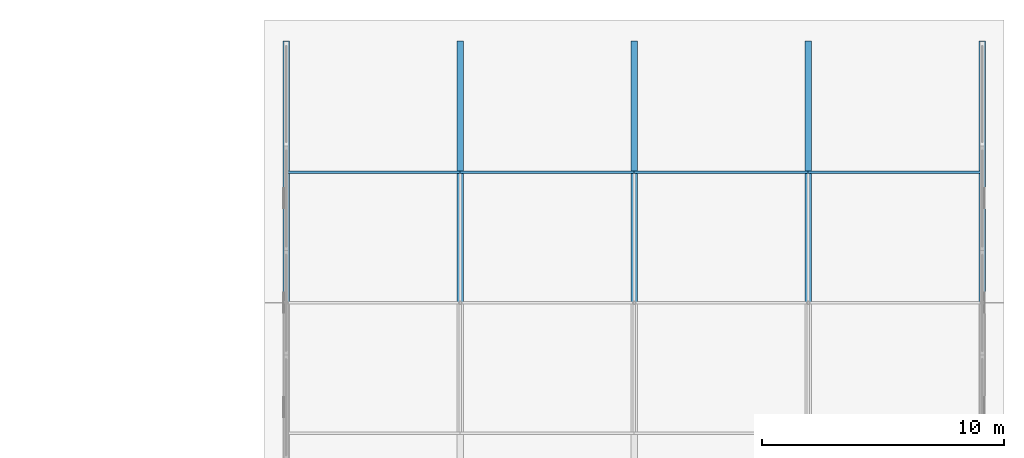
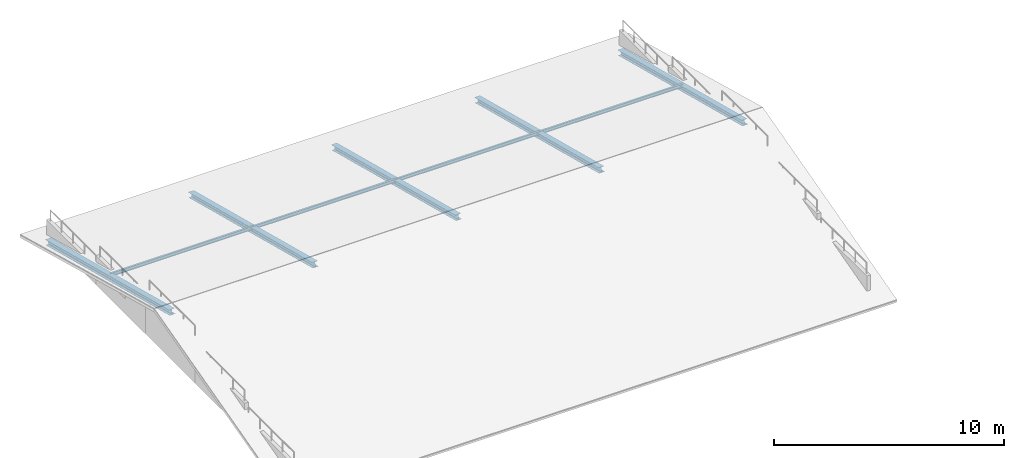
# One storey, part 13 of 22: 9 members.
"""IFC4 building model written with IfcOpenShell, lengths in metres."""

import ifcopenshell
import ifcopenshell.guid

model = None  # the IFC model being written
_history = None  # IfcOwnerHistory: only IFC2X3 demands one
_inside = {}  # id of a spatial element -> (the spatial element, [elements in it])
_under = {}  # id of a project, library or spatial element -> (it, [spatial elements below it])
_declared = {}  # id of a project -> (the project, [libraries it declares])
_typed = {}  # id of a type object -> (the type object, [elements of that type])
_made_of = {}  # id of a material, layer set ... -> (it, [elements and type objects made of it])


def new_model(schema):
    """Start an empty IFC model of exactly this schema.

    Asked for "IFC4X3", IfcOpenShell would pick the latest addendum, in which some entities
    have other attributes; the version numbers below select the first issue.
    IFC2X3 requires an IfcOwnerHistory on every rooted entity: one is made here for all.
    """
    global model, _history
    if schema == "IFC4X3":
        model = ifcopenshell.file(schema_version=(4, 3, 0, 0))
    else:
        model = ifcopenshell.file(schema=schema)
    _inside.clear()
    _under.clear()
    _declared.clear()
    _typed.clear()
    _made_of.clear()
    _history = None
    if model.schema == "IFC2X3":
        org = make("IfcOrganization", Name="unknown")
        user = make(
            "IfcPersonAndOrganization",
            ThePerson=make("IfcPerson", FamilyName="unknown"),
            TheOrganization=org,
        )
        app = make(
            "IfcApplication",
            ApplicationDeveloper=org,
            Version="unknown",
            ApplicationFullName="unknown",
            ApplicationIdentifier="unknown",
        )
        _history = make(
            "IfcOwnerHistory",
            OwningUser=user,
            OwningApplication=app,
            ChangeAction="ADDED",
            CreationDate=0,
        )
    return model


def make(cls, **values):
    """One entity of the class cls with the attributes given. An attribute that is None is left unset."""
    return model.create_entity(
        cls, **{name: value for name, value in values.items() if value is not None}
    )


def rooted(cls, **values):
    """An entity with a GlobalId (a new one), such as an element, a storey or a relation."""
    return make(cls, GlobalId=ifcopenshell.guid.new(), OwnerHistory=_history, **values)


def si_unit(unit_type, name, prefix=None):
    """IfcSIUnit, for example si_unit("LENGTHUNIT", "METRE", prefix="MILLI")."""
    return make("IfcSIUnit", UnitType=unit_type, Prefix=prefix, Name=name)


def assignment(units):
    """IfcUnitAssignment: the units of a project."""
    return None if units is None else make("IfcUnitAssignment", Units=units)


def point(xyz):
    """IfcCartesianPoint."""
    return None if xyz is None else make("IfcCartesianPoint", Coordinates=xyz)


def direction(xyz):
    """IfcDirection."""
    return None if xyz is None else make("IfcDirection", DirectionRatios=xyz)


def frame(location, z_axis=None, x_axis=None):
    """IfcAxis2Placement3D, a coordinate frame: its origin and axes. An axis left out is left unset."""
    return make(
        "IfcAxis2Placement3D",
        Location=point(location),
        Axis=direction(z_axis),
        RefDirection=direction(x_axis),
    )


def frame_2d(location, x_axis=None):
    """IfcAxis2Placement2D, a coordinate frame in the plane: its origin and x axis."""
    return make(
        "IfcAxis2Placement2D", Location=point(location), RefDirection=direction(x_axis)
    )


def origin():
    """The frame at (0, 0, 0) with its axes left unset."""
    return frame((0.0, 0.0, 0.0))


def origin_2d():
    """The frame at (0, 0) in the plane with its x axis left unset."""
    return frame_2d((0.0, 0.0))


def place(relative_to, where):
    """IfcLocalPlacement: puts the frame where relative to a parent placement (None: the world)."""
    return make(
        "IfcLocalPlacement", PlacementRelTo=relative_to, RelativePlacement=where
    )


def context(
    kind, dimensions, precision=None, world=None, true_north=None, identifier=None
):
    """IfcGeometricRepresentationContext, for example the 3D "Model" context."""
    return make(
        "IfcGeometricRepresentationContext",
        ContextIdentifier=identifier,
        ContextType=kind,
        CoordinateSpaceDimension=dimensions,
        Precision=precision,
        WorldCoordinateSystem=world,
        TrueNorth=true_north,
    )


def subcontext(parent, identifier, kind, view, scale=None):
    """IfcGeometricRepresentationSubContext, for example "Body" below "Model"."""
    return make(
        "IfcGeometricRepresentationSubContext",
        ContextIdentifier=identifier,
        ContextType=kind,
        ParentContext=parent,
        TargetScale=scale,
        TargetView=view,
    )


def project(units=None, contexts=None):
    """IfcProject with its units and contexts."""
    return rooted(
        "IfcProject",
        Name="project",
        RepresentationContexts=contexts,
        UnitsInContext=assignment(units),
    )


def spatial(cls, under=None, at=None, **own):
    """A site, building, storey or space (cls), placed at a placement, below another one or the project."""
    s = rooted(cls, ObjectPlacement=at, **own)
    if under is not None:
        _under.setdefault(under.id(), (under, []))[1].append(s)
    return s


def profile(cls, at=None, kind="AREA", **sizes):
    """A parametric profile (cls). Its sizes go by their IFC names, for example OverallWidth=200.0."""
    return make(cls, ProfileType=kind, Position=at, **sizes)


def i_section(**sizes):
    """IfcIShapeProfileDef."""
    return profile("IfcIShapeProfileDef", **sizes)


def extrude(swept, where, along, depth):
    """IfcExtrudedAreaSolid: the profile swept, set in the frame where, extruded along a direction by depth."""
    return make(
        "IfcExtrudedAreaSolid",
        SweptArea=swept,
        Position=where,
        ExtrudedDirection=direction(along),
        Depth=depth,
    )


def shape(context_of_items, identifier, shape_type, items):
    """IfcShapeRepresentation: the items that make up one representation, for example the "Body"."""
    return make(
        "IfcShapeRepresentation",
        ContextOfItems=context_of_items,
        RepresentationIdentifier=identifier,
        RepresentationType=shape_type,
        Items=items,
    )


def material(Name=None, Category=None):
    """IfcMaterial."""
    return make("IfcMaterial", Name=Name, Category=Category)


def material_profile(
    of_material, cross_section, Name=None, Category=None, Priority=None
):
    """IfcMaterialProfile: a cross section and its material."""
    return make(
        "IfcMaterialProfile",
        Name=Name,
        Material=of_material,
        Profile=cross_section,
        Priority=Priority,
        Category=Category,
    )


def profile_set(profiles, Name=None, composite=None):
    """IfcMaterialProfileSet."""
    return make(
        "IfcMaterialProfileSet",
        Name=Name,
        MaterialProfiles=profiles,
        CompositeProfile=composite,
    )


def made_of(thing, what):
    """Note that an element or type object is made of a material, layer set ...; save() writes the relation."""
    if what is not None:
        _made_of.setdefault(what.id(), (what, []))[1].append(thing)
    return thing


def type_object(cls, material=None, **own):
    """A type object (cls), such as IfcWallType, which elements share."""
    return made_of(rooted(cls, **own), material)


def element(
    cls,
    number,
    at=None,
    inside=None,
    cuts=None,
    type_object=None,
    material=None,
    context=None,
    identifier="Body",
    shape_type=None,
    held_by="IfcProductDefinitionShape",
    body=None,
    shapes=None,
    **own,
):
    """One element of the class cls, such as IfcWall. Its Tag is "e" and its number.

    at: its placement. inside: the storey or other place that contains it. cuts: it is an
    opening in that element (IfcRelVoidsElement). A single representation is given by context,
    identifier, shape_type and body (its items); several are given by shapes. held_by: the class
    of the entity that holds the representations. save() writes the other relations.
    """
    e = rooted(cls, Tag="e%d" % number, ObjectPlacement=at, **own)
    if body is not None:
        shapes = [shape(context, identifier, shape_type, body)]
    if shapes is not None:
        e.Representation = make(held_by, Representations=shapes)
    if inside is not None:
        _inside.setdefault(inside.id(), (inside, []))[1].append(e)
    if cuts is not None:
        rooted(
            "IfcRelVoidsElement", RelatingBuildingElement=cuts, RelatedOpeningElement=e
        )
    if type_object is not None:
        _typed.setdefault(type_object.id(), (type_object, []))[1].append(e)
    return made_of(e, material)


def aggregate(whole, parts):
    """IfcRelAggregates: a whole, such as a stair, and the parts it consists of."""
    return rooted("IfcRelAggregates", RelatingObject=whole, RelatedObjects=parts)


def save(model, path):
    """Write the relations noted so far, then the file.

    IfcRelAggregates (storeys below a building ...), IfcRelContainedInSpatialStructure (elements
    in a storey), IfcRelDefinesByType, IfcRelAssociatesMaterial and IfcRelDeclares: one each for
    every whole, place, type object, material and project.
    """
    for whole, parts in _under.values():
        aggregate(whole, parts)
    for where, things in _inside.values():
        rooted(
            "IfcRelContainedInSpatialStructure",
            RelatedElements=things,
            RelatingStructure=where,
        )
    for kind, things in _typed.values():
        rooted("IfcRelDefinesByType", RelatedObjects=things, RelatingType=kind)
    for what, things in _made_of.values():
        rooted("IfcRelAssociatesMaterial", RelatedObjects=things, RelatingMaterial=what)
    for by, libraries in _declared.values():
        rooted("IfcRelDeclares", RelatingContext=by, RelatedDefinitions=libraries)
    model.write(path)


model = new_model("IFC4")

# Units and contexts
model_context = context("Model", 3, precision=1e-05, world=origin(), true_north=direction((0.0, 1.0)))
body_context = subcontext(model_context, "Body", "Model", "MODEL_VIEW")
ifc_project = project(units=[si_unit("LENGTHUNIT", "METRE"), si_unit("AREAUNIT", "SQUARE_METRE"), si_unit("VOLUMEUNIT", "CUBIC_METRE"), si_unit("PLANEANGLEUNIT", "RADIAN"), si_unit("MASSUNIT", "GRAM", prefix="KILO"), si_unit("THERMODYNAMICTEMPERATUREUNIT", "KELVIN"), si_unit("POWERUNIT", "WATT")], contexts=[model_context])

# Site, building, storey
site_placement = place(None, origin())
site = spatial("IfcSite", under=ifc_project, at=site_placement, CompositionType="ELEMENT")
building_placement = place(site_placement, origin())
building = spatial("IfcBuilding", under=site, at=building_placement, Name="Tavuni Mirador Residences", CompositionType="ELEMENT")
storey_placement = place(building_placement, frame((0.0, 0.0, 45.449951171875)))
storey = spatial("IfcBuildingStorey", under=building, at=storey_placement, Name="L14", CompositionType="ELEMENT", Elevation=45.449951171875)

# Members
ifc_material = material(Name="Structural steel S355", Category="steel")
ifc_material_profile_1 = material_profile(ifc_material, i_section(OverallWidth=0.280029296875, OverallDepth=0.27001953125, WebThickness=0.008056640625, FlangeThickness=0.012939453125, FilletRadius=0.02392578125, at=origin_2d()), Name="HEA 280", Category="steel")
ifc_profile_set_1 = profile_set([ifc_material_profile_1], Name="Structural steel S355")
member_type_1 = type_object("IfcMemberType", Name="MT-CH-HEA280", PredefinedType="CHORD", material=ifc_profile_set_1)
for number, where, z_axis, x_axis, name in (
    (1, (18.0, 162.0, 2.449951171875), (0.0, 0.968001426323, -0.250944692386), (-1.0, 0.0, 0.0), "RAF-BLK-C-00-N"),
    (2, (25.199951171875, 162.0, 2.449951171875), (0.0, 0.968001426323, -0.250944692386), (-1.0, 0.0, 0.0), "RAF-BLK-C-01-N"),
    (3, (32.39990234375, 162.0, 2.449951171875), (0.0, 0.968001426323, -0.250944692386), (-1.0, 0.0, 0.0), "RAF-BLK-C-02-N"),
    (4, (39.60009765625, 162.0, 2.449951171875), (0.0, 0.968001426323, -0.250944692386), (-1.0, 0.0, 0.0), "RAF-BLK-C-03-N"),
    (5, (46.800048828125, 162.0, 2.449951171875), (0.0, 0.968001426323, -0.250944692386), (-1.0, 0.0, 0.0), "RAF-BLK-C-04-N"),
):
    element("IfcMember", number, at=place(storey_placement, frame(where, z_axis=z_axis, x_axis=x_axis)), inside=storey, type_object=member_type_1, Name=name, PredefinedType="CHORD", context=body_context, shape_type="SweptSolid", body=[
        extrude(i_section(OverallWidth=0.280029296875, OverallDepth=0.27001953125, WebThickness=0.008056640625, FlangeThickness=0.012939453125, FilletRadius=0.02392578125, at=origin_2d()), origin(), (0.0, 0.0, 1.0), 11.156982421875),
    ])
ifc_material_profile_2 = material_profile(ifc_material, i_section(OverallWidth=0.091064453125, OverallDepth=0.179931640625, WebThickness=0.00537109375, FlangeThickness=0.008056640625, FilletRadius=0.009033203125, at=origin_2d()), Name="IPE 180", Category="steel")
ifc_profile_set_2 = profile_set([ifc_material_profile_2], Name="Structural steel S355")
member_type_2 = type_object("IfcMemberType", Name="MT-PR-IPE180", PredefinedType="PURLIN", material=ifc_profile_set_2)
for number, where, z_axis, x_axis, name in (
    (6, (18.0, 167.39990234375, 1.155029296875), (1.0, 0.0, 0.0), (0.0, 1.0, 0.0), "RPUR-BLK-C-75-00"),
    (7, (25.199951171875, 167.39990234375, 1.155029296875), (1.0, 0.0, 0.0), (0.0, 1.0, 0.0), "RPUR-BLK-C-75-01"),
):
    element("IfcMember", number, at=place(storey_placement, frame(where, z_axis=z_axis, x_axis=x_axis)), inside=storey, type_object=member_type_2, Name=name, PredefinedType="PURLIN", context=body_context, shape_type="SweptSolid", body=[
        extrude(i_section(OverallWidth=0.091064453125, OverallDepth=0.179931640625, WebThickness=0.00537109375, FlangeThickness=0.008056640625, FilletRadius=0.009033203125, at=origin_2d()), origin(), (0.0, 0.0, 1.0), 7.199951171875),
    ])
member_1_placement = place(storey_placement, frame((32.39990234375, 167.39990234375, 1.155029296875), z_axis=(1.0, 0.0, 0.0), x_axis=(0.0, 1.0, 0.0)))
element("IfcMember", 8, at=member_1_placement, inside=storey, type_object=member_type_2, Name="RPUR-BLK-C-75-02", PredefinedType="PURLIN", context=body_context, shape_type="SweptSolid", body=[
    extrude(i_section(OverallWidth=0.091064453125, OverallDepth=0.179931640625, WebThickness=0.00537109375, FlangeThickness=0.008056640625, FilletRadius=0.009033203125, at=origin_2d()), origin(), (0.0, 0.0, 1.0), 7.2001953125),
])
member_2_placement = place(storey_placement, frame((39.60009765625, 167.39990234375, 1.155029296875), z_axis=(1.0, 0.0, 0.0), x_axis=(0.0, 1.0, 0.0)))
element("IfcMember", 9, at=member_2_placement, inside=storey, type_object=member_type_2, Name="RPUR-BLK-C-75-03", PredefinedType="PURLIN", context=body_context, shape_type="SweptSolid", body=[
    extrude(i_section(OverallWidth=0.091064453125, OverallDepth=0.179931640625, WebThickness=0.00537109375, FlangeThickness=0.008056640625, FilletRadius=0.009033203125, at=origin_2d()), origin(), (0.0, 0.0, 1.0), 7.199951171875),
])

save(model, "model.ifc")
